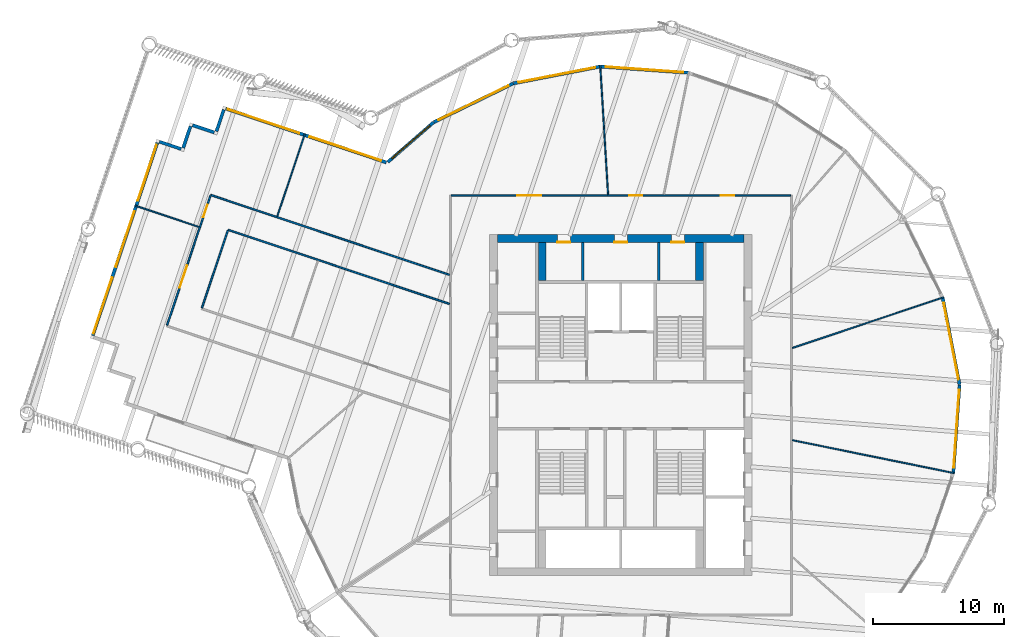
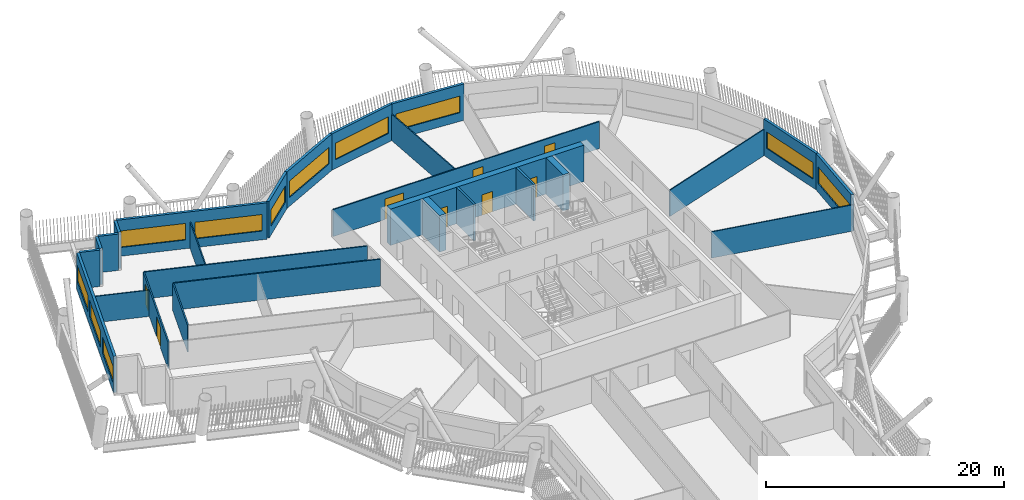
# One storey, part 6 of 21: 27 walls, 11 windows, 8 doors, 19 openings.
"""IFC4 building model written with IfcOpenShell, lengths in metres."""

import ifcopenshell
import ifcopenshell.guid

model = None  # the IFC model being written
_history = None  # IfcOwnerHistory: only IFC2X3 demands one
_inside = {}  # id of a spatial element -> (the spatial element, [elements in it])
_under = {}  # id of a project, library or spatial element -> (it, [spatial elements below it])
_declared = {}  # id of a project -> (the project, [libraries it declares])
_typed = {}  # id of a type object -> (the type object, [elements of that type])
_made_of = {}  # id of a material, layer set ... -> (it, [elements and type objects made of it])


def new_model(schema):
    """Start an empty IFC model of exactly this schema.

    Asked for "IFC4X3", IfcOpenShell would pick the latest addendum, in which some entities
    have other attributes; the version numbers below select the first issue.
    IFC2X3 requires an IfcOwnerHistory on every rooted entity: one is made here for all.
    """
    global model, _history
    if schema == "IFC4X3":
        model = ifcopenshell.file(schema_version=(4, 3, 0, 0))
    else:
        model = ifcopenshell.file(schema=schema)
    _inside.clear()
    _under.clear()
    _declared.clear()
    _typed.clear()
    _made_of.clear()
    _history = None
    if model.schema == "IFC2X3":
        org = make("IfcOrganization", Name="unknown")
        user = make(
            "IfcPersonAndOrganization",
            ThePerson=make("IfcPerson", FamilyName="unknown"),
            TheOrganization=org,
        )
        app = make(
            "IfcApplication",
            ApplicationDeveloper=org,
            Version="unknown",
            ApplicationFullName="unknown",
            ApplicationIdentifier="unknown",
        )
        _history = make(
            "IfcOwnerHistory",
            OwningUser=user,
            OwningApplication=app,
            ChangeAction="ADDED",
            CreationDate=0,
        )
    return model


def make(cls, **values):
    """One entity of the class cls with the attributes given. An attribute that is None is left unset."""
    return model.create_entity(
        cls, **{name: value for name, value in values.items() if value is not None}
    )


def rooted(cls, **values):
    """An entity with a GlobalId (a new one), such as an element, a storey or a relation."""
    return make(cls, GlobalId=ifcopenshell.guid.new(), OwnerHistory=_history, **values)


def si_unit(unit_type, name, prefix=None):
    """IfcSIUnit, for example si_unit("LENGTHUNIT", "METRE", prefix="MILLI")."""
    return make("IfcSIUnit", UnitType=unit_type, Prefix=prefix, Name=name)


def assignment(units):
    """IfcUnitAssignment: the units of a project."""
    return None if units is None else make("IfcUnitAssignment", Units=units)


def point(xyz):
    """IfcCartesianPoint."""
    return None if xyz is None else make("IfcCartesianPoint", Coordinates=xyz)


def direction(xyz):
    """IfcDirection."""
    return None if xyz is None else make("IfcDirection", DirectionRatios=xyz)


def frame(location, z_axis=None, x_axis=None):
    """IfcAxis2Placement3D, a coordinate frame: its origin and axes. An axis left out is left unset."""
    return make(
        "IfcAxis2Placement3D",
        Location=point(location),
        Axis=direction(z_axis),
        RefDirection=direction(x_axis),
    )


def frame_2d(location, x_axis=None):
    """IfcAxis2Placement2D, a coordinate frame in the plane: its origin and x axis."""
    return make(
        "IfcAxis2Placement2D", Location=point(location), RefDirection=direction(x_axis)
    )


def origin():
    """The frame at (0, 0, 0) with its axes left unset."""
    return frame((0.0, 0.0, 0.0))


def place(relative_to, where):
    """IfcLocalPlacement: puts the frame where relative to a parent placement (None: the world)."""
    return make(
        "IfcLocalPlacement", PlacementRelTo=relative_to, RelativePlacement=where
    )


def context(
    kind, dimensions, precision=None, world=None, true_north=None, identifier=None
):
    """IfcGeometricRepresentationContext, for example the 3D "Model" context."""
    return make(
        "IfcGeometricRepresentationContext",
        ContextIdentifier=identifier,
        ContextType=kind,
        CoordinateSpaceDimension=dimensions,
        Precision=precision,
        WorldCoordinateSystem=world,
        TrueNorth=true_north,
    )


def subcontext(parent, identifier, kind, view, scale=None):
    """IfcGeometricRepresentationSubContext, for example "Body" below "Model"."""
    return make(
        "IfcGeometricRepresentationSubContext",
        ContextIdentifier=identifier,
        ContextType=kind,
        ParentContext=parent,
        TargetScale=scale,
        TargetView=view,
    )


def project(units=None, contexts=None):
    """IfcProject with its units and contexts."""
    return rooted(
        "IfcProject",
        Name="project",
        RepresentationContexts=contexts,
        UnitsInContext=assignment(units),
    )


def spatial(cls, under=None, at=None, **own):
    """A site, building, storey or space (cls), placed at a placement, below another one or the project."""
    s = rooted(cls, ObjectPlacement=at, **own)
    if under is not None:
        _under.setdefault(under.id(), (under, []))[1].append(s)
    return s


def profile(cls, at=None, kind="AREA", **sizes):
    """A parametric profile (cls). Its sizes go by their IFC names, for example OverallWidth=200.0."""
    return make(cls, ProfileType=kind, Position=at, **sizes)


def rectangle(**sizes):
    """IfcRectangleProfileDef."""
    return profile("IfcRectangleProfileDef", **sizes)


def extrude(swept, where, along, depth):
    """IfcExtrudedAreaSolid: the profile swept, set in the frame where, extruded along a direction by depth."""
    return make(
        "IfcExtrudedAreaSolid",
        SweptArea=swept,
        Position=where,
        ExtrudedDirection=direction(along),
        Depth=depth,
    )


def shape(context_of_items, identifier, shape_type, items):
    """IfcShapeRepresentation: the items that make up one representation, for example the "Body"."""
    return make(
        "IfcShapeRepresentation",
        ContextOfItems=context_of_items,
        RepresentationIdentifier=identifier,
        RepresentationType=shape_type,
        Items=items,
    )


def material(Name=None, Category=None):
    """IfcMaterial."""
    return make("IfcMaterial", Name=Name, Category=Category)


def layer(
    of_material, thickness, ventilated=None, Name=None, Category=None, Priority=None
):
    """IfcMaterialLayer: one layer of a wall or slab, of a material (None: an air gap)."""
    return make(
        "IfcMaterialLayer",
        Material=of_material,
        LayerThickness=thickness,
        IsVentilated=ventilated,
        Name=Name,
        Category=Category,
        Priority=Priority,
    )


def layer_set(layers, Name=None):
    """IfcMaterialLayerSet."""
    return make("IfcMaterialLayerSet", MaterialLayers=layers, LayerSetName=Name)


def made_of(thing, what):
    """Note that an element or type object is made of a material, layer set ...; save() writes the relation."""
    if what is not None:
        _made_of.setdefault(what.id(), (what, []))[1].append(thing)
    return thing


def type_object(cls, material=None, **own):
    """A type object (cls), such as IfcWallType, which elements share."""
    return made_of(rooted(cls, **own), material)


def element(
    cls,
    number,
    at=None,
    inside=None,
    cuts=None,
    type_object=None,
    material=None,
    context=None,
    identifier="Body",
    shape_type=None,
    held_by="IfcProductDefinitionShape",
    body=None,
    shapes=None,
    **own,
):
    """One element of the class cls, such as IfcWall. Its Tag is "e" and its number.

    at: its placement. inside: the storey or other place that contains it. cuts: it is an
    opening in that element (IfcRelVoidsElement). A single representation is given by context,
    identifier, shape_type and body (its items); several are given by shapes. held_by: the class
    of the entity that holds the representations. save() writes the other relations.
    """
    e = rooted(cls, Tag="e%d" % number, ObjectPlacement=at, **own)
    if body is not None:
        shapes = [shape(context, identifier, shape_type, body)]
    if shapes is not None:
        e.Representation = make(held_by, Representations=shapes)
    if inside is not None:
        _inside.setdefault(inside.id(), (inside, []))[1].append(e)
    if cuts is not None:
        rooted(
            "IfcRelVoidsElement", RelatingBuildingElement=cuts, RelatedOpeningElement=e
        )
    if type_object is not None:
        _typed.setdefault(type_object.id(), (type_object, []))[1].append(e)
    return made_of(e, material)


def fill(opening, filler):
    """IfcRelFillsElement: the door or window that sits in an opening."""
    return rooted(
        "IfcRelFillsElement",
        RelatingOpeningElement=opening,
        RelatedBuildingElement=filler,
    )


def aggregate(whole, parts):
    """IfcRelAggregates: a whole, such as a stair, and the parts it consists of."""
    return rooted("IfcRelAggregates", RelatingObject=whole, RelatedObjects=parts)


def save(model, path):
    """Write the relations noted so far, then the file.

    IfcRelAggregates (storeys below a building ...), IfcRelContainedInSpatialStructure (elements
    in a storey), IfcRelDefinesByType, IfcRelAssociatesMaterial and IfcRelDeclares: one each for
    every whole, place, type object, material and project.
    """
    for whole, parts in _under.values():
        aggregate(whole, parts)
    for where, things in _inside.values():
        rooted(
            "IfcRelContainedInSpatialStructure",
            RelatedElements=things,
            RelatingStructure=where,
        )
    for kind, things in _typed.values():
        rooted("IfcRelDefinesByType", RelatedObjects=things, RelatingType=kind)
    for what, things in _made_of.values():
        rooted("IfcRelAssociatesMaterial", RelatedObjects=things, RelatingMaterial=what)
    for by, libraries in _declared.values():
        rooted("IfcRelDeclares", RelatingContext=by, RelatedDefinitions=libraries)
    model.write(path)


model = new_model("IFC4")

# Units and contexts
model_context = context("Model", 3, precision=1e-05, world=origin(), true_north=direction((0.0, 1.0)))
body_context = subcontext(model_context, "Body", "Model", "MODEL_VIEW")
ifc_project = project(units=[si_unit("LENGTHUNIT", "METRE"), si_unit("AREAUNIT", "SQUARE_METRE"), si_unit("VOLUMEUNIT", "CUBIC_METRE"), si_unit("PLANEANGLEUNIT", "RADIAN"), si_unit("MASSUNIT", "GRAM", prefix="KILO")], contexts=[model_context])

# Site, building, storey
site_placement = place(None, origin())
site = spatial("IfcSite", under=ifc_project, at=site_placement, CompositionType="ELEMENT")
building_placement = place(site_placement, origin())
building = spatial("IfcBuilding", under=site, at=building_placement, Name="Tarsis Ring Headquarters", CompositionType="ELEMENT")
storey_placement = place(building_placement, frame((0.0, 0.0, 208.199951171875)))
storey = spatial("IfcBuildingStorey", under=building, at=storey_placement, Name="L48", CompositionType="ELEMENT", Elevation=208.199951171875)

# Walls
ifc_material_1 = material(Name="Blockwork", Category="masonry")
ifc_layer_1 = layer(ifc_material_1, 0.199951171875)
ifc_layer_set_1 = layer_set([ifc_layer_1], Name="Core blockwork wall 200")
wall_type_1 = type_object("IfcWallType", Name="Core blockwork wall 200", PredefinedType="PARTITIONING", material=ifc_layer_set_1)
for number, where, z_axis, x_axis, name in (
    (1, (-2.89990234375, 9.5, 0.0), (0.0, 0.0, 1.0), (0.0, 1.0, 0.0), "Core partition ND1"),
    (2, (2.89990234375, 9.5, 0.0), (0.0, 0.0, 1.0), (0.0, 1.0, 0.0), "Core partition ND3"),
):
    element("IfcWall", number, at=place(storey_placement, frame(where, z_axis=z_axis, x_axis=x_axis)), inside=storey, type_object=wall_type_1, Name=name, PredefinedType="PARTITIONING", context=body_context, shape_type="SweptSolid", body=[
        extrude(rectangle(XDim=2.89990234375, YDim=0.199951171875, at=frame_2d((1.449951171875, 0.0))), origin(), (0.0, 0.0, 1.0), 3.739990234375),
    ])

# Wall, openings, doors
ifc_material_2 = material(Name="Concrete C50/60", Category="concrete")
ifc_layer_2 = layer(ifc_material_2, 0.60009765625)
ifc_layer_set_2 = layer_set([ifc_layer_2], Name="Core wall 600 C50/60")
wall_type_2 = type_object("IfcWallType", Name="Core wall 600 C50/60", PredefinedType="SHEAR", material=ifc_layer_set_2)
wall_1_placement = place(storey_placement, frame((-9.39990234375, 12.699951171875, 0.0), z_axis=(0.0, 0.0, 1.0), x_axis=(1.0, 0.0, 0.0)))
wall_1 = element("IfcWall", 3, at=wall_1_placement, inside=storey, type_object=wall_type_2, Name="Core wall ON", PredefinedType="SHEAR", context=body_context, shape_type="SweptSolid", body=[
    extrude(rectangle(XDim=18.7998046875, YDim=0.60009765625, at=frame_2d((9.39990234375, 0.0))), origin(), (0.0, 0.0, 1.0), 3.739990234375),
])
opening_1_placement = place(wall_1_placement, frame((4.550048828125, 0.0, 0.0)))
opening_1 = element("IfcOpeningElement", 4, at=opening_1_placement, cuts=wall_1, Name="Opening L48-C14", PredefinedType="OPENING", context=body_context, shape_type="SweptSolid", body=[
    extrude(rectangle(XDim=1.0, YDim=2.10009765625, at=frame_2d((0.5, 1.050048828125))), frame((0.0, 0.31005859375, 0.0), z_axis=(0.0, -1.0, 0.0), x_axis=(1.0, 0.0, 0.0)), (0.0, 0.0, 1.0), 0.6201171875),
])
opening_2_placement = place(wall_1_placement, frame((8.89990234375, 0.0, 0.0)))
opening_2 = element("IfcOpeningElement", 5, at=opening_2_placement, cuts=wall_1, Name="Opening L48-C15", PredefinedType="OPENING", context=body_context, shape_type="SweptSolid", body=[
    extrude(rectangle(XDim=1.0, YDim=2.10009765625, at=frame_2d((0.5, 1.050048828125))), frame((0.0, 0.31005859375, 0.0), z_axis=(0.0, -1.0, 0.0), x_axis=(1.0, 0.0, 0.0)), (0.0, 0.0, 1.0), 0.6201171875),
])
opening_3_placement = place(wall_1_placement, frame((13.25, 0.0, 0.0)))
opening_3 = element("IfcOpeningElement", 6, at=opening_3_placement, cuts=wall_1, Name="Opening L48-C16", PredefinedType="OPENING", context=body_context, shape_type="SweptSolid", body=[
    extrude(rectangle(XDim=1.0, YDim=2.10009765625, at=frame_2d((0.5, 1.050048828125))), frame((0.0, 0.31005859375, 0.0), z_axis=(0.0, -1.0, 0.0), x_axis=(1.0, 0.0, 0.0)), (0.0, 0.0, 1.0), 0.6201171875),
])
ifc_material_3 = material(Name="Steel S355", Category="steel")
door_type_1 = type_object("IfcDoorType", Name="Core room door 1000x2100", OperationType="SINGLE_SWING_LEFT", PredefinedType="DOOR", material=ifc_material_3)
door_1_placement = place(opening_1_placement, origin())
door_1 = element("IfcDoor", 7, at=door_1_placement, inside=storey, type_object=door_type_1, Name="Core room door L48", OperationType="SINGLE_SWING_LEFT", OverallHeight=2.10009765625, OverallWidth=1.0, PredefinedType="DOOR", context=body_context, shape_type="SweptSolid", body=[
    extrude(rectangle(XDim=1.0, YDim=2.10009765625, at=frame_2d((0.5, 1.050048828125))), frame((0.0, -0.25, 0.0), z_axis=(0.0, -1.0, 0.0), x_axis=(1.0, 0.0, 0.0)), (0.0, 0.0, 1.0), 0.050048828125),
])
fill(opening_1, door_1)
door_2_placement = place(opening_2_placement, origin())
door_2 = element("IfcDoor", 8, at=door_2_placement, inside=storey, type_object=door_type_1, Name="Core room door L48", OperationType="SINGLE_SWING_LEFT", OverallHeight=2.10009765625, OverallWidth=1.0, PredefinedType="DOOR", context=body_context, shape_type="SweptSolid", body=[
    extrude(rectangle(XDim=1.0, YDim=2.10009765625, at=frame_2d((0.5, 1.050048828125))), frame((0.0, -0.25, 0.0), z_axis=(0.0, -1.0, 0.0), x_axis=(1.0, 0.0, 0.0)), (0.0, 0.0, 1.0), 0.050048828125),
])
fill(opening_2, door_2)
door_3_placement = place(opening_3_placement, origin())
door_3 = element("IfcDoor", 9, at=door_3_placement, inside=storey, type_object=door_type_1, Name="Core room door L48", OperationType="SINGLE_SWING_LEFT", OverallHeight=2.10009765625, OverallWidth=1.0, PredefinedType="DOOR", context=body_context, shape_type="SweptSolid", body=[
    extrude(rectangle(XDim=1.0, YDim=2.10009765625, at=frame_2d((0.5, 1.050048828125))), frame((0.0, -0.25, 0.0), z_axis=(0.0, -1.0, 0.0), x_axis=(1.0, 0.0, 0.0)), (0.0, 0.0, 1.0), 0.050048828125),
])
fill(opening_3, door_3)

# Walls
ifc_material_4 = material(Name="Gypsum board on steel studs", Category="steel")
ifc_layer_3 = layer(ifc_material_4, 0.10009765625)
ifc_layer_set_3 = layer_set([ifc_layer_3], Name="FL partition 100 unrated")
wall_type_3 = type_object("IfcWallType", Name="FL partition 100 unrated", PredefinedType="PARTITIONING", material=ifc_layer_set_3)
wall_2_placement = place(storey_placement, frame((13.068603515625, -2.66357421875, 0.0), z_axis=(0.0, 0.0, 1.0), x_axis=(0.979857049992, -0.19970017922, 0.0)))
element("IfcWall", 10, at=wall_2_placement, inside=storey, type_object=wall_type_3, Name="Partition PW3", PredefinedType="PARTITIONING", context=body_context, shape_type="SweptSolid", body=[
    extrude(rectangle(XDim=12.6103515625, YDim=0.10009765625, at=frame_2d((6.30517578125, 0.0))), origin(), (0.0, 0.0, 1.0), 2.699951171875),
])
wall_3_placement = place(storey_placement, frame((13.075927734375, 4.3701171875, 0.0), z_axis=(0.0, 0.0, 1.0), x_axis=(0.948434066005, 0.316974482318, 0.0)))
element("IfcWall", 11, at=wall_3_placement, inside=storey, type_object=wall_type_3, Name="Partition PW3", PredefinedType="PARTITIONING", context=body_context, shape_type="SweptSolid", body=[
    extrude(rectangle(XDim=12.1611328125, YDim=0.10009765625, at=frame_2d((6.08056640625, 0.0))), origin(), (0.0, 0.0, 1.0), 2.699951171875),
])
wall_4_placement = place(storey_placement, frame((-1.574951171875, 25.89990234375, 0.0), z_axis=(0.0, 0.0, 1.0), x_axis=(0.060686668164, -0.998156865581, 0.0)))
element("IfcWall", 12, at=wall_4_placement, inside=storey, type_object=wall_type_3, Name="Partition PW3", PredefinedType="PARTITIONING", context=body_context, shape_type="SweptSolid", body=[
    extrude(rectangle(XDim=9.84814453125, YDim=0.10009765625, at=frame_2d((4.924072265625, 0.0))), origin(), (0.0, 0.0, 1.0), 2.699951171875),
])
wall_5_placement = place(storey_placement, frame((-26.2001953125, 14.408203125, 0.0), z_axis=(0.0, 0.0, 1.0), x_axis=(0.317634613337, 0.948213189325, 0.0)))
element("IfcWall", 13, at=wall_5_placement, inside=storey, type_object=wall_type_3, Name="Partition PW3", PredefinedType="PARTITIONING", context=body_context, shape_type="SweptSolid", body=[
    extrude(rectangle(XDim=6.610107421875, YDim=0.10009765625, at=frame_2d((3.30517578125, 0.0))), origin(), (0.0, 0.0, 1.0), 2.699951171875),
])
wall_6_placement = place(storey_placement, frame((-37.032958984375, 15.22119140625, 0.0), z_axis=(0.0, 0.0, 1.0), x_axis=(0.94821586814, -0.31762661634, 0.0)))
element("IfcWall", 14, at=wall_6_placement, inside=storey, type_object=wall_type_3, Name="Partition PW3", PredefinedType="PARTITIONING", context=body_context, shape_type="SweptSolid", body=[
    extrude(rectangle(XDim=5.1298828125, YDim=0.10009765625, at=frame_2d((2.56494140625, 0.0))), origin(), (0.0, 0.0, 1.0), 2.699951171875),
])

# Wall, openings, doors
ifc_layer_4 = layer(ifc_material_4, 0.125)
ifc_layer_set_4 = layer_set([ifc_layer_4], Name="FL partition 125 EI 60 H2770")
wall_type_4 = type_object("IfcWallType", Name="FL partition 125 EI 60 H2770", PredefinedType="PARTITIONING", material=ifc_layer_set_4)
wall_7_placement = place(storey_placement, frame((-12.93798828125, 16.0, 0.0), z_axis=(0.0, 0.0, 1.0), x_axis=(1.0, 0.0, 0.0)))
wall_7 = element("IfcWall", 15, at=wall_7_placement, inside=storey, type_object=wall_type_4, Name="Partition PW1", PredefinedType="PARTITIONING", context=body_context, shape_type="SweptSolid", body=[
    extrude(rectangle(XDim=25.8779296875, YDim=0.125, at=frame_2d((12.93896484375, 0.0))), origin(), (0.0, 0.0, 1.0), 2.77001953125),
])
opening_4_placement = place(wall_7_placement, frame((5.052490234375, 0.0, 0.0)))
opening_4 = element("IfcOpeningElement", 16, at=opening_4_placement, cuts=wall_7, Name="Opening D48.03", PredefinedType="OPENING", context=body_context, shape_type="SweptSolid", body=[
    extrude(rectangle(XDim=1.800048828125, YDim=2.10009765625, at=frame_2d((0.89990234375, 1.050048828125))), frame((0.0, 0.072509765625, 0.0), z_axis=(0.0, -1.0, 0.0), x_axis=(1.0, 0.0, 0.0)), (0.0, 0.0, 1.0), 0.14501953125),
])
opening_5_placement = place(wall_7_placement, frame((13.58203125, 0.0, 0.0)))
opening_5 = element("IfcOpeningElement", 17, at=opening_5_placement, cuts=wall_7, Name="Opening D48.04", PredefinedType="OPENING", context=body_context, shape_type="SweptSolid", body=[
    extrude(rectangle(XDim=1.0, YDim=2.10009765625, at=frame_2d((0.5, 1.050048828125))), frame((0.0, 0.072509765625, 0.0), z_axis=(0.0, -1.0, 0.0), x_axis=(1.0, 0.0, 0.0)), (0.0, 0.0, 1.0), 0.14501953125),
])
opening_6_placement = place(wall_7_placement, frame((20.568603515625, 0.0, 0.0)))
opening_6 = element("IfcOpeningElement", 18, at=opening_6_placement, cuts=wall_7, Name="Opening D48.05", PredefinedType="OPENING", context=body_context, shape_type="SweptSolid", body=[
    extrude(rectangle(XDim=1.0, YDim=2.10009765625, at=frame_2d((0.5, 1.050048828125))), frame((0.0, 0.072509765625, 0.0), z_axis=(0.0, -1.0, 0.0), x_axis=(1.0, 0.0, 0.0)), (0.0, 0.0, 1.0), 0.14501953125),
])
ifc_material_5 = material(Name="Fire-rated timber door leaf in steel frame", Category="steel")
door_type_2 = type_object("IfcDoorType", Name="FL door FD60-1000", OperationType="NOTDEFINED", PredefinedType="DOOR", material=ifc_material_5)
door_4_placement = place(opening_5_placement, origin())
door_4 = element("IfcDoor", 19, at=door_4_placement, inside=storey, type_object=door_type_2, Name="Door D48.04", OperationType="SINGLE_SWING_RIGHT", OverallHeight=2.10009765625, OverallWidth=1.0, PredefinedType="DOOR", context=body_context, shape_type="SweptSolid", body=[
    extrude(rectangle(XDim=1.0, YDim=2.10009765625, at=frame_2d((0.5, 1.050048828125))), frame((0.0, 0.02490234375, 0.0), z_axis=(0.0, -1.0, 0.0), x_axis=(1.0, 0.0, 0.0)), (0.0, 0.0, 1.0), 0.050048828125),
])
fill(opening_5, door_4)
door_5_placement = place(opening_6_placement, origin())
door_5 = element("IfcDoor", 20, at=door_5_placement, inside=storey, type_object=door_type_2, Name="Door D48.05", OperationType="SINGLE_SWING_LEFT", OverallHeight=2.10009765625, OverallWidth=1.0, PredefinedType="DOOR", context=body_context, shape_type="SweptSolid", body=[
    extrude(rectangle(XDim=1.0, YDim=2.10009765625, at=frame_2d((0.5, 1.050048828125))), frame((0.0, 0.02490234375, 0.0), z_axis=(0.0, -1.0, 0.0), x_axis=(1.0, 0.0, 0.0)), (0.0, 0.0, 1.0), 0.050048828125),
])
fill(opening_6, door_5)
door_type_3 = type_object("IfcDoorType", Name="FL door FD60-1800", OperationType="DOUBLE_DOOR_SINGLE_SWING", PredefinedType="DOOR", material=ifc_material_5)
door_6_placement = place(opening_4_placement, origin())
door_6 = element("IfcDoor", 21, at=door_6_placement, inside=storey, type_object=door_type_3, Name="Door D48.03", OperationType="DOUBLE_DOOR_SINGLE_SWING", OverallHeight=2.10009765625, OverallWidth=1.800048828125, PredefinedType="DOOR", context=body_context, shape_type="SweptSolid", body=[
    extrude(rectangle(XDim=1.800048828125, YDim=2.10009765625, at=frame_2d((0.89990234375, 1.050048828125))), frame((0.0, 0.02490234375, 0.0), z_axis=(0.0, -1.0, 0.0), x_axis=(1.0, 0.0, 0.0)), (0.0, 0.0, 1.0), 0.050048828125),
])
fill(opening_4, door_6)

# Walls
wall_8_placement = place(storey_placement, frame((-31.276611328125, 16.034912109375, 0.0), z_axis=(0.0, 0.0, 1.0), x_axis=(0.948212916409, -0.317635428055, 0.0)))
element("IfcWall", 22, at=wall_8_placement, inside=storey, type_object=wall_type_4, Name="Partition PW1", PredefinedType="PARTITIONING", context=body_context, shape_type="SweptSolid", body=[
    extrude(rectangle(XDim=19.19482421875, YDim=0.125, at=frame_2d((9.597412109375, 0.0))), origin(), (0.0, 0.0, 1.0), 2.77001953125),
])
wall_9_placement = place(storey_placement, frame((-29.9521484375, 13.376708984375, 0.0), z_axis=(0.0, 0.0, 1.0), x_axis=(0.948211742909, -0.317638931194, 0.0)))
element("IfcWall", 23, at=wall_9_placement, inside=storey, type_object=wall_type_4, Name="Partition PW1", PredefinedType="PARTITIONING", context=body_context, shape_type="SweptSolid", body=[
    extrude(rectangle(XDim=17.7978515625, YDim=0.125, at=frame_2d((8.89892578125, 0.0))), origin(), (0.0, 0.0, 1.0), 2.77001953125),
])

# Wall, openings, doors
wall_10_placement = place(storey_placement, frame((-34.605224609375, 6.09765625, 0.0), z_axis=(0.0, 0.0, 1.0), x_axis=(0.317640243154, 0.948211303418, 0.0)))
wall_10 = element("IfcWall", 24, at=wall_10_placement, inside=storey, type_object=wall_type_4, Name="Partition PW1", PredefinedType="PARTITIONING", context=body_context, shape_type="SweptSolid", body=[
    extrude(rectangle(XDim=10.419921875, YDim=0.125, at=frame_2d((5.2099609375, 0.0))), origin(), (0.0, 0.0, 1.0), 2.77001953125),
])
opening_7_placement = place(wall_10_placement, frame((3.00830078125, 0.0, 0.0)))
opening_7 = element("IfcOpeningElement", 25, at=opening_7_placement, cuts=wall_10, Name="Opening D48.01", PredefinedType="OPENING", context=body_context, shape_type="SweptSolid", body=[
    extrude(rectangle(XDim=1.800048828125, YDim=2.10009765625, at=frame_2d((0.89990234375, 1.050048828125))), frame((0.0, 0.072509765625, 0.0), z_axis=(0.0, -1.0, 0.0), x_axis=(1.0, 0.0, 0.0)), (0.0, 0.0, 1.0), 0.14501953125),
])
opening_8_placement = place(wall_10_placement, frame((8.67822265625, 0.0, 0.0)))
opening_8 = element("IfcOpeningElement", 26, at=opening_8_placement, cuts=wall_10, Name="Opening D48.02", PredefinedType="OPENING", context=body_context, shape_type="SweptSolid", body=[
    extrude(rectangle(XDim=1.0, YDim=2.10009765625, at=frame_2d((0.5, 1.050048828125))), frame((0.0, 0.072509765625, 0.0), z_axis=(0.0, -1.0, 0.0), x_axis=(1.0, 0.0, 0.0)), (0.0, 0.0, 1.0), 0.14501953125),
])
door_7_placement = place(opening_8_placement, origin())
door_7 = element("IfcDoor", 27, at=door_7_placement, inside=storey, type_object=door_type_2, Name="Door D48.02", OperationType="SINGLE_SWING_RIGHT", OverallHeight=2.10009765625, OverallWidth=1.0, PredefinedType="DOOR", context=body_context, shape_type="SweptSolid", body=[
    extrude(rectangle(XDim=1.0, YDim=2.10009765625, at=frame_2d((0.5, 1.050048828125))), frame((0.0, 0.02490234375, 0.0), z_axis=(0.0, -1.0, 0.0), x_axis=(1.0, 0.0, 0.0)), (0.0, 0.0, 1.0), 0.050048828125),
])
fill(opening_8, door_7)
door_8_placement = place(opening_7_placement, origin())
door_8 = element("IfcDoor", 28, at=door_8_placement, inside=storey, type_object=door_type_3, Name="Door D48.01", OperationType="DOUBLE_DOOR_SINGLE_SWING", OverallHeight=2.10009765625, OverallWidth=1.800048828125, PredefinedType="DOOR", context=body_context, shape_type="SweptSolid", body=[
    extrude(rectangle(XDim=1.800048828125, YDim=2.10009765625, at=frame_2d((0.89990234375, 1.050048828125))), frame((0.0, 0.02490234375, 0.0), z_axis=(0.0, -1.0, 0.0), x_axis=(1.0, 0.0, 0.0)), (0.0, 0.0, 1.0), 0.050048828125),
])
fill(opening_7, door_8)

# Wall
wall_11_placement = place(storey_placement, frame((-31.947021484375, 7.421875, 0.0), z_axis=(0.0, 0.0, 1.0), x_axis=(0.317664015689, 0.948203339551, 0.0)))
element("IfcWall", 29, at=wall_11_placement, inside=storey, type_object=wall_type_4, Name="Partition PW1", PredefinedType="PARTITIONING", context=body_context, shape_type="SweptSolid", body=[
    extrude(rectangle(XDim=6.219970703125, YDim=0.125, at=frame_2d((3.10986328125, 0.0))), origin(), (0.0, 0.0, 1.0), 2.77001953125),
])

# Wall, opening, window
ifc_material_6 = material(Name="Terracotta clad insulated panel wall", Category="masonry")
ifc_layer_5 = layer(ifc_material_6, 0.25)
ifc_layer_set_5 = layer_set([ifc_layer_5], Name="Facade wall terracotta panel 250")
wall_type_5 = type_object("IfcWallType", Name="Facade wall terracotta panel 250", PredefinedType="STANDARD", material=ifc_layer_set_5)
wall_12_placement = place(storey_placement, frame((25.353759765625, -5.15087890625, 0.0), z_axis=(0.0, 0.0, 1.0), x_axis=(0.070100932636, 0.997539903585, 0.0)))
wall_12 = element("IfcWall", 30, at=wall_12_placement, inside=storey, type_object=wall_type_5, Name="External wall L48-21", PredefinedType="STANDARD", context=body_context, shape_type="SweptSolid", body=[
    extrude(rectangle(XDim=6.7216796875, YDim=0.25, at=frame_2d((3.36083984375, 0.0))), origin(), (0.0, 0.0, 1.0), 3.739990234375),
])
opening_9_placement = place(wall_12_placement, frame((0.3857421875, 0.0, 0.89990234375)))
opening_9 = element("IfcOpeningElement", 31, at=opening_9_placement, cuts=wall_12, Name="Opening WN07", PredefinedType="OPENING", context=body_context, shape_type="SweptSolid", body=[
    extrude(rectangle(XDim=5.949951171875, YDim=1.699951171875, at=frame_2d((2.97509765625, 0.85009765625))), frame((0.0, 0.135009765625, 0.0), z_axis=(0.0, -1.0, 0.0), x_axis=(1.0, 0.0, 0.0)), (0.0, 0.0, 1.0), 0.27001953125),
])
ifc_material_7 = material(Name="Aluminium framed double glazing", Category="aluminium")
window_type_1 = type_object("IfcWindowType", Name="Facade window 5950 x 1700", PartitioningType="SINGLE_PANEL", PredefinedType="WINDOW", material=ifc_material_7)
window_1_placement = place(opening_9_placement, origin())
window_1 = element("IfcWindow", 32, at=window_1_placement, inside=storey, type_object=window_type_1, Name="Window L48-21.1", OverallHeight=1.699951171875, OverallWidth=5.949951171875, PartitioningType="SINGLE_PANEL", PredefinedType="WINDOW", context=body_context, shape_type="SweptSolid", body=[
    extrude(rectangle(XDim=5.949951171875, YDim=1.699951171875, at=frame_2d((2.97509765625, 0.85009765625))), frame((0.0, 0.030029296875, 0.0), z_axis=(0.0, -1.0, 0.0), x_axis=(1.0, 0.0, 0.0)), (0.0, 0.0, 1.0), 0.06005859375),
])
fill(opening_9, window_1)

wall_13_placement = place(storey_placement, frame((25.822998046875, 1.586669921875, 0.0), z_axis=(0.0, 0.0, 1.0), x_axis=(-0.190434105273, 0.981699980416, 0.0)))
wall_13 = element("IfcWall", 33, at=wall_13_placement, inside=storey, type_object=wall_type_5, Name="External wall L48-22", PredefinedType="STANDARD", context=body_context, shape_type="SweptSolid", body=[
    extrude(rectangle(XDim=6.7216796875, YDim=0.25, at=frame_2d((3.36083984375, 0.0))), origin(), (0.0, 0.0, 1.0), 3.739990234375),
])
opening_10_placement = place(wall_13_placement, frame((0.3857421875, 0.0, 0.89990234375)))
opening_10 = element("IfcOpeningElement", 34, at=opening_10_placement, cuts=wall_13, Name="Opening WN07", PredefinedType="OPENING", context=body_context, shape_type="SweptSolid", body=[
    extrude(rectangle(XDim=5.949951171875, YDim=1.699951171875, at=frame_2d((2.97509765625, 0.85009765625))), frame((0.0, 0.135009765625, 0.0), z_axis=(0.0, -1.0, 0.0), x_axis=(1.0, 0.0, 0.0)), (0.0, 0.0, 1.0), 0.27001953125),
])
window_2_placement = place(opening_10_placement, origin())
window_2 = element("IfcWindow", 35, at=window_2_placement, inside=storey, type_object=window_type_1, Name="Window L48-22.1", OverallHeight=1.699951171875, OverallWidth=5.949951171875, PartitioningType="SINGLE_PANEL", PredefinedType="WINDOW", context=body_context, shape_type="SweptSolid", body=[
    extrude(rectangle(XDim=5.949951171875, YDim=1.699951171875, at=frame_2d((2.97509765625, 0.85009765625))), frame((0.0, 0.030029296875, 0.0), z_axis=(0.0, -1.0, 0.0), x_axis=(1.0, 0.0, 0.0)), (0.0, 0.0, 1.0), 0.06005859375),
])
fill(opening_10, window_2)

wall_14_placement = place(storey_placement, frame((5.15087890625, 25.353759765625, 0.0), z_axis=(0.0, 0.0, 1.0), x_axis=(-0.997539903585, 0.070100932636, 0.0)))
wall_14 = element("IfcWall", 36, at=wall_14_placement, inside=storey, type_object=wall_type_5, Name="External wall L48-27", PredefinedType="STANDARD", context=body_context, shape_type="SweptSolid", body=[
    extrude(rectangle(XDim=6.7216796875, YDim=0.25, at=frame_2d((3.36083984375, 0.0))), origin(), (0.0, 0.0, 1.0), 3.739990234375),
])
opening_11_placement = place(wall_14_placement, frame((0.3857421875, 0.0, 0.89990234375)))
opening_11 = element("IfcOpeningElement", 37, at=opening_11_placement, cuts=wall_14, Name="Opening WN07", PredefinedType="OPENING", context=body_context, shape_type="SweptSolid", body=[
    extrude(rectangle(XDim=5.949951171875, YDim=1.699951171875, at=frame_2d((2.97509765625, 0.85009765625))), frame((0.0, 0.135009765625, 0.0), z_axis=(0.0, -1.0, 0.0), x_axis=(1.0, 0.0, 0.0)), (0.0, 0.0, 1.0), 0.27001953125),
])
window_3_placement = place(opening_11_placement, origin())
window_3 = element("IfcWindow", 38, at=window_3_placement, inside=storey, type_object=window_type_1, Name="Window L48-27.1", OverallHeight=1.699951171875, OverallWidth=5.949951171875, PartitioningType="SINGLE_PANEL", PredefinedType="WINDOW", context=body_context, shape_type="SweptSolid", body=[
    extrude(rectangle(XDim=5.949951171875, YDim=1.699951171875, at=frame_2d((2.97509765625, 0.85009765625))), frame((0.0, 0.030029296875, 0.0), z_axis=(0.0, -1.0, 0.0), x_axis=(1.0, 0.0, 0.0)), (0.0, 0.0, 1.0), 0.06005859375),
])
fill(opening_11, window_3)

wall_15_placement = place(storey_placement, frame((-1.586669921875, 25.822998046875, 0.0), z_axis=(0.0, 0.0, 1.0), x_axis=(-0.981699980416, -0.190434105273, 0.0)))
wall_15 = element("IfcWall", 39, at=wall_15_placement, inside=storey, type_object=wall_type_5, Name="External wall L48-28", PredefinedType="STANDARD", context=body_context, shape_type="SweptSolid", body=[
    extrude(rectangle(XDim=6.7216796875, YDim=0.25, at=frame_2d((3.36083984375, 0.0))), origin(), (0.0, 0.0, 1.0), 3.739990234375),
])
opening_12_placement = place(wall_15_placement, frame((0.3857421875, 0.0, 0.89990234375)))
opening_12 = element("IfcOpeningElement", 40, at=opening_12_placement, cuts=wall_15, Name="Opening WN07", PredefinedType="OPENING", context=body_context, shape_type="SweptSolid", body=[
    extrude(rectangle(XDim=5.949951171875, YDim=1.699951171875, at=frame_2d((2.97509765625, 0.85009765625))), frame((0.0, 0.135009765625, 0.0), z_axis=(0.0, -1.0, 0.0), x_axis=(1.0, 0.0, 0.0)), (0.0, 0.0, 1.0), 0.27001953125),
])
window_4_placement = place(opening_12_placement, origin())
window_4 = element("IfcWindow", 41, at=window_4_placement, inside=storey, type_object=window_type_1, Name="Window L48-28.1", OverallHeight=1.699951171875, OverallWidth=5.949951171875, PartitioningType="SINGLE_PANEL", PredefinedType="WINDOW", context=body_context, shape_type="SweptSolid", body=[
    extrude(rectangle(XDim=5.949951171875, YDim=1.699951171875, at=frame_2d((2.97509765625, 0.85009765625))), frame((0.0, 0.030029296875, 0.0), z_axis=(0.0, -1.0, 0.0), x_axis=(1.0, 0.0, 0.0)), (0.0, 0.0, 1.0), 0.06005859375),
])
fill(opening_12, window_4)

wall_16_placement = place(storey_placement, frame((-8.216064453125, 24.532470703125, 0.0), z_axis=(0.0, 0.0, 1.0), x_axis=(-0.898956864294, -0.438037162965, 0.0)))
wall_16 = element("IfcWall", 42, at=wall_16_placement, inside=storey, type_object=wall_type_5, Name="External wall L48-29", PredefinedType="STANDARD", context=body_context, shape_type="SweptSolid", body=[
    extrude(rectangle(XDim=6.7216796875, YDim=0.25, at=frame_2d((3.36083984375, 0.0))), origin(), (0.0, 0.0, 1.0), 3.739990234375),
])
opening_13_placement = place(wall_16_placement, frame((0.3857421875, 0.0, 0.89990234375)))
opening_13 = element("IfcOpeningElement", 43, at=opening_13_placement, cuts=wall_16, Name="Opening WN07", PredefinedType="OPENING", context=body_context, shape_type="SweptSolid", body=[
    extrude(rectangle(XDim=5.949951171875, YDim=1.699951171875, at=frame_2d((2.97509765625, 0.85009765625))), frame((0.0, 0.135009765625, 0.0), z_axis=(0.0, -1.0, 0.0), x_axis=(1.0, 0.0, 0.0)), (0.0, 0.0, 1.0), 0.27001953125),
])
window_5_placement = place(opening_13_placement, origin())
window_5 = element("IfcWindow", 44, at=window_5_placement, inside=storey, type_object=window_type_1, Name="Window L48-29.1", OverallHeight=1.699951171875, OverallWidth=5.949951171875, PartitioningType="SINGLE_PANEL", PredefinedType="WINDOW", context=body_context, shape_type="SweptSolid", body=[
    extrude(rectangle(XDim=5.949951171875, YDim=1.699951171875, at=frame_2d((2.97509765625, 0.85009765625))), frame((0.0, 0.030029296875, 0.0), z_axis=(0.0, -1.0, 0.0), x_axis=(1.0, 0.0, 0.0)), (0.0, 0.0, 1.0), 0.06005859375),
])
fill(opening_13, window_5)

wall_17_placement = place(storey_placement, frame((-14.28564453125, 21.570068359375, 0.0), z_axis=(0.0, 0.0, 1.0), x_axis=(-0.75493323447, -0.655801655604, 0.0)))
wall_17 = element("IfcWall", 45, at=wall_17_placement, inside=storey, type_object=wall_type_5, Name="External wall L48-30", PredefinedType="STANDARD", context=body_context, shape_type="SweptSolid", body=[
    extrude(rectangle(XDim=4.61767578125, YDim=0.25, at=frame_2d((2.308837890625, 0.0))), origin(), (0.0, 0.0, 1.0), 3.739990234375),
])
opening_14_placement = place(wall_17_placement, frame((0.367431640625, 0.0, 0.89990234375)))
opening_14 = element("IfcOpeningElement", 46, at=opening_14_placement, cuts=wall_17, Name="Opening WN02", PredefinedType="OPENING", context=body_context, shape_type="SweptSolid", body=[
    extrude(rectangle(XDim=3.85009765625, YDim=1.699951171875, at=frame_2d((1.925048828125, 0.85009765625))), frame((0.0, 0.135009765625, 0.0), z_axis=(0.0, -1.0, 0.0), x_axis=(1.0, 0.0, 0.0)), (0.0, 0.0, 1.0), 0.27001953125),
])
window_type_2 = type_object("IfcWindowType", Name="Facade window 3850 x 1700", PartitioningType="SINGLE_PANEL", PredefinedType="WINDOW", material=ifc_material_7)
window_6_placement = place(opening_14_placement, origin())
window_6 = element("IfcWindow", 47, at=window_6_placement, inside=storey, type_object=window_type_2, Name="Window L48-30.1", OverallHeight=1.699951171875, OverallWidth=3.85009765625, PartitioningType="SINGLE_PANEL", PredefinedType="WINDOW", context=body_context, shape_type="SweptSolid", body=[
    extrude(rectangle(XDim=3.85009765625, YDim=1.699951171875, at=frame_2d((1.925048828125, 0.85009765625))), frame((0.0, 0.030029296875, 0.0), z_axis=(0.0, -1.0, 0.0), x_axis=(1.0, 0.0, 0.0)), (0.0, 0.0, 1.0), 0.06005859375),
])
fill(opening_14, window_6)

# Wall, openings, windows
wall_18_placement = place(storey_placement, frame((-17.8935546875, 18.517578125, 0.0), z_axis=(0.0, 0.0, 1.0), x_axis=(-0.948212944008, 0.317635345664, 0.0)))
wall_18 = element("IfcWall", 48, at=wall_18_placement, inside=storey, type_object=wall_type_5, Name="External wall L48-31", PredefinedType="STANDARD", context=body_context, shape_type="SweptSolid", body=[
    extrude(rectangle(XDim=12.9013671875, YDim=0.25, at=frame_2d((6.45068359375, 0.0))), origin(), (0.0, 0.0, 1.0), 3.739990234375),
])
opening_15_placement = place(wall_18_placement, frame((0.412841796875, 0.0, 0.89990234375)))
opening_15 = element("IfcOpeningElement", 49, at=opening_15_placement, cuts=wall_18, Name="Opening WN06", PredefinedType="OPENING", context=body_context, shape_type="SweptSolid", body=[
    extrude(rectangle(XDim=5.75, YDim=1.699951171875, at=frame_2d((2.875, 0.85009765625))), frame((0.0, 0.135009765625, 0.0), z_axis=(0.0, -1.0, 0.0), x_axis=(1.0, 0.0, 0.0)), (0.0, 0.0, 1.0), 0.27001953125),
])
opening_16_placement = place(wall_18_placement, frame((6.988525390625, 0.0, 0.89990234375)))
opening_16 = element("IfcOpeningElement", 50, at=opening_16_placement, cuts=wall_18, Name="Opening WN06", PredefinedType="OPENING", context=body_context, shape_type="SweptSolid", body=[
    extrude(rectangle(XDim=5.75, YDim=1.699951171875, at=frame_2d((2.875, 0.85009765625))), frame((0.0, 0.135009765625, 0.0), z_axis=(0.0, -1.0, 0.0), x_axis=(1.0, 0.0, 0.0)), (0.0, 0.0, 1.0), 0.27001953125),
])
window_type_3 = type_object("IfcWindowType", Name="Facade window 5750 x 1700", PartitioningType="SINGLE_PANEL", PredefinedType="WINDOW", material=ifc_material_7)
window_7_placement = place(opening_15_placement, origin())
window_7 = element("IfcWindow", 51, at=window_7_placement, inside=storey, type_object=window_type_3, Name="Window L48-31.1", OverallHeight=1.699951171875, OverallWidth=5.75, PartitioningType="SINGLE_PANEL", PredefinedType="WINDOW", context=body_context, shape_type="SweptSolid", body=[
    extrude(rectangle(XDim=5.75, YDim=1.699951171875, at=frame_2d((2.875, 0.85009765625))), frame((0.0, 0.030029296875, 0.0), z_axis=(0.0, -1.0, 0.0), x_axis=(1.0, 0.0, 0.0)), (0.0, 0.0, 1.0), 0.06005859375),
])
fill(opening_15, window_7)
window_8_placement = place(opening_16_placement, origin())
window_8 = element("IfcWindow", 52, at=window_8_placement, inside=storey, type_object=window_type_3, Name="Window L48-31.2", OverallHeight=1.699951171875, OverallWidth=5.75, PartitioningType="SINGLE_PANEL", PredefinedType="WINDOW", context=body_context, shape_type="SweptSolid", body=[
    extrude(rectangle(XDim=5.75, YDim=1.699951171875, at=frame_2d((2.875, 0.85009765625))), frame((0.0, 0.030029296875, 0.0), z_axis=(0.0, -1.0, 0.0), x_axis=(1.0, 0.0, 0.0)), (0.0, 0.0, 1.0), 0.06005859375),
])
fill(opening_16, window_8)

# Walls
for number, where, z_axis, x_axis, name in (
    (53, (-30.284912109375, 22.53662109375, 0.0), (0.0, 0.0, 1.0), (-0.317650349947, -0.948207917694, 0.0), "External wall L48-32"),
    (54, (-30.9990234375, 20.798583984375, 0.0), (0.0, 0.0, 1.0), (-0.948249929632, 0.317524913909, 0.0), "External wall L48-33"),
    (55, (-32.816650390625, 21.275634765625, 0.0), (0.0, 0.0, 1.0), (-0.317650349947, -0.948207917694, 0.0), "External wall L48-34"),
    (56, (-33.53076171875, 19.537353515625, 0.0), (0.0, 0.0, 1.0), (-0.948207917694, 0.317650349947, 0.0), "External wall L48-35"),
):
    element("IfcWall", number, at=place(storey_placement, frame(where, z_axis=z_axis, x_axis=x_axis)), inside=storey, type_object=wall_type_5, Name=name, PredefinedType="STANDARD", context=body_context, shape_type="SweptSolid", body=[
        extrude(rectangle(XDim=1.75, YDim=0.25, at=frame_2d((0.875, 0.0))), origin(), (0.0, 0.0, 1.0), 3.739990234375),
    ])

# Wall, openings, windows
wall_19_placement = place(storey_placement, frame((-35.348388671875, 20.014404296875, 0.0), z_axis=(0.0, 0.0, 1.0), x_axis=(-0.31763556103, -0.948212871864, 0.0)))
wall_19 = element("IfcWall", 57, at=wall_19_placement, inside=storey, type_object=wall_type_5, Name="External wall L48-36", PredefinedType="STANDARD", context=body_context, shape_type="SweptSolid", body=[
    extrude(rectangle(XDim=15.5, YDim=0.25, at=frame_2d((7.75, 0.0))), origin(), (0.0, 0.0, 1.0), 3.739990234375),
])
opening_17_placement = place(wall_19_placement, frame((0.166748046875, 0.0, 0.89990234375)))
opening_17 = element("IfcOpeningElement", 58, at=opening_17_placement, cuts=wall_19, Name="Opening WN04", PredefinedType="OPENING", context=body_context, shape_type="SweptSolid", body=[
    extrude(rectangle(XDim=4.5, YDim=1.699951171875, at=frame_2d((2.25, 0.85009765625))), frame((0.0, 0.135009765625, 0.0), z_axis=(0.0, -1.0, 0.0), x_axis=(1.0, 0.0, 0.0)), (0.0, 0.0, 1.0), 0.27001953125),
])
opening_18_placement = place(wall_19_placement, frame((5.5, 0.0, 0.89990234375)))
opening_18 = element("IfcOpeningElement", 59, at=opening_18_placement, cuts=wall_19, Name="Opening WN04", PredefinedType="OPENING", context=body_context, shape_type="SweptSolid", body=[
    extrude(rectangle(XDim=4.5, YDim=1.699951171875, at=frame_2d((2.25, 0.85009765625))), frame((0.0, 0.135009765625, 0.0), z_axis=(0.0, -1.0, 0.0), x_axis=(1.0, 0.0, 0.0)), (0.0, 0.0, 1.0), 0.27001953125),
])
opening_19_placement = place(wall_19_placement, frame((10.833251953125, 0.0, 0.89990234375)))
opening_19 = element("IfcOpeningElement", 60, at=opening_19_placement, cuts=wall_19, Name="Opening WN04", PredefinedType="OPENING", context=body_context, shape_type="SweptSolid", body=[
    extrude(rectangle(XDim=4.5, YDim=1.699951171875, at=frame_2d((2.25, 0.85009765625))), frame((0.0, 0.135009765625, 0.0), z_axis=(0.0, -1.0, 0.0), x_axis=(1.0, 0.0, 0.0)), (0.0, 0.0, 1.0), 0.27001953125),
])
window_type_4 = type_object("IfcWindowType", Name="Facade window 4500 x 1700", PartitioningType="SINGLE_PANEL", PredefinedType="WINDOW", material=ifc_material_7)
window_9_placement = place(opening_17_placement, origin())
window_9 = element("IfcWindow", 61, at=window_9_placement, inside=storey, type_object=window_type_4, Name="Window L48-36.1", OverallHeight=1.699951171875, OverallWidth=4.5, PartitioningType="SINGLE_PANEL", PredefinedType="WINDOW", context=body_context, shape_type="SweptSolid", body=[
    extrude(rectangle(XDim=4.5, YDim=1.699951171875, at=frame_2d((2.25, 0.85009765625))), frame((0.0, 0.030029296875, 0.0), z_axis=(0.0, -1.0, 0.0), x_axis=(1.0, 0.0, 0.0)), (0.0, 0.0, 1.0), 0.06005859375),
])
fill(opening_17, window_9)
window_10_placement = place(opening_18_placement, origin())
window_10 = element("IfcWindow", 62, at=window_10_placement, inside=storey, type_object=window_type_4, Name="Window L48-36.2", OverallHeight=1.699951171875, OverallWidth=4.5, PartitioningType="SINGLE_PANEL", PredefinedType="WINDOW", context=body_context, shape_type="SweptSolid", body=[
    extrude(rectangle(XDim=4.5, YDim=1.699951171875, at=frame_2d((2.25, 0.85009765625))), frame((0.0, 0.030029296875, 0.0), z_axis=(0.0, -1.0, 0.0), x_axis=(1.0, 0.0, 0.0)), (0.0, 0.0, 1.0), 0.06005859375),
])
fill(opening_18, window_10)
window_11_placement = place(opening_19_placement, origin())
window_11 = element("IfcWindow", 63, at=window_11_placement, inside=storey, type_object=window_type_4, Name="Window L48-36.3", OverallHeight=1.699951171875, OverallWidth=4.5, PartitioningType="SINGLE_PANEL", PredefinedType="WINDOW", context=body_context, shape_type="SweptSolid", body=[
    extrude(rectangle(XDim=4.5, YDim=1.699951171875, at=frame_2d((2.25, 0.85009765625))), frame((0.0, 0.030029296875, 0.0), z_axis=(0.0, -1.0, 0.0), x_axis=(1.0, 0.0, 0.0)), (0.0, 0.0, 1.0), 0.06005859375),
])
fill(opening_19, window_11)

# Walls
ifc_material_8 = material(Name="Concrete C32/40", Category="concrete")
ifc_layer_6 = layer(ifc_material_8, 0.60009765625)
ifc_layer_set_6 = layer_set([ifc_layer_6], Name="Shaft end wall 600 C32/40")
wall_type_6 = type_object("IfcWallType", Name="Shaft end wall 600 C32/40", PredefinedType="SOLIDWALL", material=ifc_layer_set_6)
for number, where, z_axis, x_axis, name in (
    (64, (-6.0, 9.5, 0.0), (0.0, 0.0, 1.0), (0.0, 1.0, 0.0), "Core shaft wall NNE1"),
    (65, (6.0, 9.5, 0.0), (0.0, 0.0, 1.0), (0.0, 1.0, 0.0), "Core shaft wall NNE2"),
):
    element("IfcWall", number, at=place(storey_placement, frame(where, z_axis=z_axis, x_axis=x_axis)), inside=storey, type_object=wall_type_6, Name=name, PredefinedType="SOLIDWALL", context=body_context, shape_type="SweptSolid", body=[
        extrude(rectangle(XDim=2.89990234375, YDim=0.60009765625, at=frame_2d((1.449951171875, 0.0))), origin(), (0.0, 0.0, 1.0), 3.739990234375),
    ])

save(model, "model.ifc")
